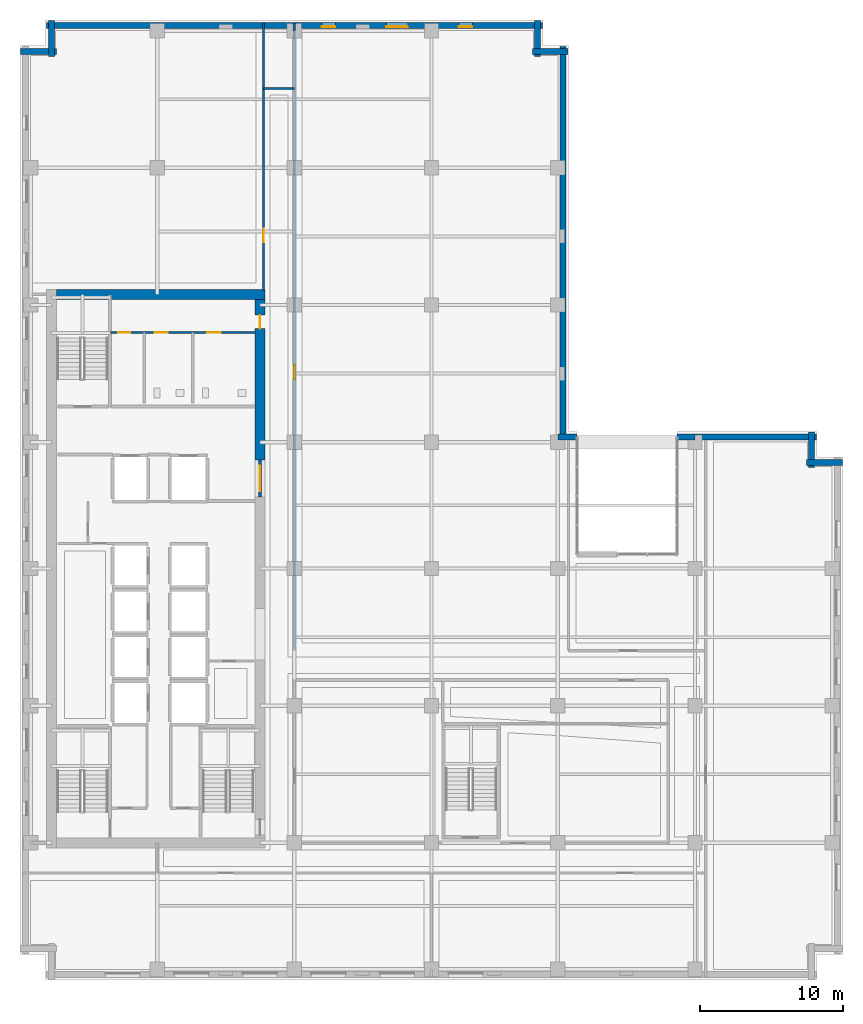
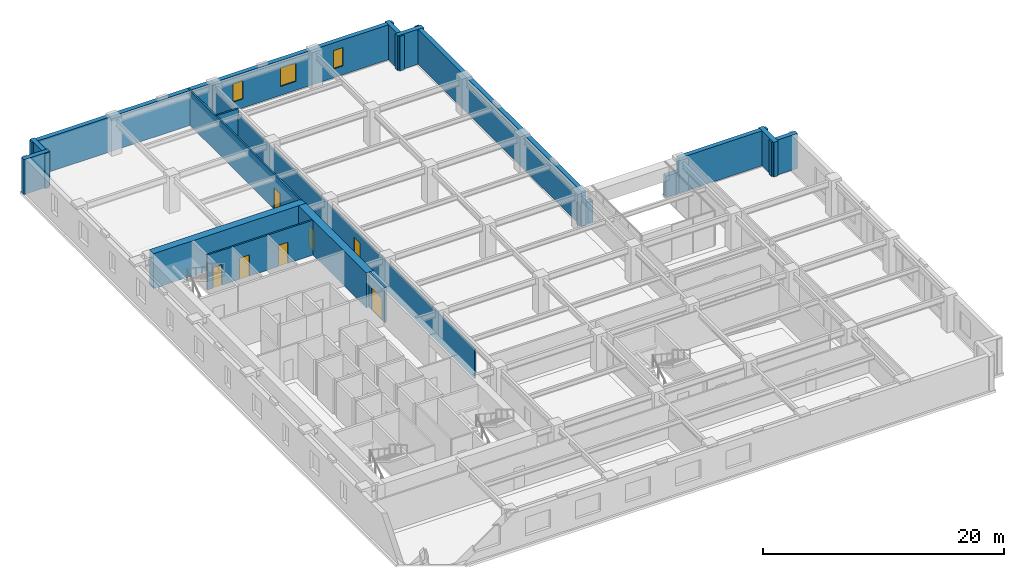
# One storey, part 7 of 14: 19 walls, 7 doors, 3 windows, 10 openings.
"""IFC4 building model written with IfcOpenShell, lengths in metres."""

import ifcopenshell
import ifcopenshell.guid

model = None  # the IFC model being written
_history = None  # IfcOwnerHistory: only IFC2X3 demands one
_inside = {}  # id of a spatial element -> (the spatial element, [elements in it])
_under = {}  # id of a project, library or spatial element -> (it, [spatial elements below it])
_declared = {}  # id of a project -> (the project, [libraries it declares])
_typed = {}  # id of a type object -> (the type object, [elements of that type])
_made_of = {}  # id of a material, layer set ... -> (it, [elements and type objects made of it])


def new_model(schema):
    """Start an empty IFC model of exactly this schema.

    Asked for "IFC4X3", IfcOpenShell would pick the latest addendum, in which some entities
    have other attributes; the version numbers below select the first issue.
    IFC2X3 requires an IfcOwnerHistory on every rooted entity: one is made here for all.
    """
    global model, _history
    if schema == "IFC4X3":
        model = ifcopenshell.file(schema_version=(4, 3, 0, 0))
    else:
        model = ifcopenshell.file(schema=schema)
    _inside.clear()
    _under.clear()
    _declared.clear()
    _typed.clear()
    _made_of.clear()
    _history = None
    if model.schema == "IFC2X3":
        org = make("IfcOrganization", Name="unknown")
        user = make(
            "IfcPersonAndOrganization",
            ThePerson=make("IfcPerson", FamilyName="unknown"),
            TheOrganization=org,
        )
        app = make(
            "IfcApplication",
            ApplicationDeveloper=org,
            Version="unknown",
            ApplicationFullName="unknown",
            ApplicationIdentifier="unknown",
        )
        _history = make(
            "IfcOwnerHistory",
            OwningUser=user,
            OwningApplication=app,
            ChangeAction="ADDED",
            CreationDate=0,
        )
    return model


def make(cls, **values):
    """One entity of the class cls with the attributes given. An attribute that is None is left unset."""
    return model.create_entity(
        cls, **{name: value for name, value in values.items() if value is not None}
    )


def rooted(cls, **values):
    """An entity with a GlobalId (a new one), such as an element, a storey or a relation."""
    return make(cls, GlobalId=ifcopenshell.guid.new(), OwnerHistory=_history, **values)


def si_unit(unit_type, name, prefix=None):
    """IfcSIUnit, for example si_unit("LENGTHUNIT", "METRE", prefix="MILLI")."""
    return make("IfcSIUnit", UnitType=unit_type, Prefix=prefix, Name=name)


def assignment(units):
    """IfcUnitAssignment: the units of a project."""
    return None if units is None else make("IfcUnitAssignment", Units=units)


def point(xyz):
    """IfcCartesianPoint."""
    return None if xyz is None else make("IfcCartesianPoint", Coordinates=xyz)


def direction(xyz):
    """IfcDirection."""
    return None if xyz is None else make("IfcDirection", DirectionRatios=xyz)


def frame(location, z_axis=None, x_axis=None):
    """IfcAxis2Placement3D, a coordinate frame: its origin and axes. An axis left out is left unset."""
    return make(
        "IfcAxis2Placement3D",
        Location=point(location),
        Axis=direction(z_axis),
        RefDirection=direction(x_axis),
    )


def frame_2d(location, x_axis=None):
    """IfcAxis2Placement2D, a coordinate frame in the plane: its origin and x axis."""
    return make(
        "IfcAxis2Placement2D", Location=point(location), RefDirection=direction(x_axis)
    )


def origin():
    """The frame at (0, 0, 0) with its axes left unset."""
    return frame((0.0, 0.0, 0.0))


def place(relative_to, where):
    """IfcLocalPlacement: puts the frame where relative to a parent placement (None: the world)."""
    return make(
        "IfcLocalPlacement", PlacementRelTo=relative_to, RelativePlacement=where
    )


def context(
    kind, dimensions, precision=None, world=None, true_north=None, identifier=None
):
    """IfcGeometricRepresentationContext, for example the 3D "Model" context."""
    return make(
        "IfcGeometricRepresentationContext",
        ContextIdentifier=identifier,
        ContextType=kind,
        CoordinateSpaceDimension=dimensions,
        Precision=precision,
        WorldCoordinateSystem=world,
        TrueNorth=true_north,
    )


def subcontext(parent, identifier, kind, view, scale=None):
    """IfcGeometricRepresentationSubContext, for example "Body" below "Model"."""
    return make(
        "IfcGeometricRepresentationSubContext",
        ContextIdentifier=identifier,
        ContextType=kind,
        ParentContext=parent,
        TargetScale=scale,
        TargetView=view,
    )


def project(units=None, contexts=None):
    """IfcProject with its units and contexts."""
    return rooted(
        "IfcProject",
        Name="project",
        RepresentationContexts=contexts,
        UnitsInContext=assignment(units),
    )


def spatial(cls, under=None, at=None, **own):
    """A site, building, storey or space (cls), placed at a placement, below another one or the project."""
    s = rooted(cls, ObjectPlacement=at, **own)
    if under is not None:
        _under.setdefault(under.id(), (under, []))[1].append(s)
    return s


def profile(cls, at=None, kind="AREA", **sizes):
    """A parametric profile (cls). Its sizes go by their IFC names, for example OverallWidth=200.0."""
    return make(cls, ProfileType=kind, Position=at, **sizes)


def rectangle(**sizes):
    """IfcRectangleProfileDef."""
    return profile("IfcRectangleProfileDef", **sizes)


def extrude(swept, where, along, depth):
    """IfcExtrudedAreaSolid: the profile swept, set in the frame where, extruded along a direction by depth."""
    return make(
        "IfcExtrudedAreaSolid",
        SweptArea=swept,
        Position=where,
        ExtrudedDirection=direction(along),
        Depth=depth,
    )


def shape(context_of_items, identifier, shape_type, items):
    """IfcShapeRepresentation: the items that make up one representation, for example the "Body"."""
    return make(
        "IfcShapeRepresentation",
        ContextOfItems=context_of_items,
        RepresentationIdentifier=identifier,
        RepresentationType=shape_type,
        Items=items,
    )


def material(Name=None, Category=None):
    """IfcMaterial."""
    return make("IfcMaterial", Name=Name, Category=Category)


def layer(
    of_material, thickness, ventilated=None, Name=None, Category=None, Priority=None
):
    """IfcMaterialLayer: one layer of a wall or slab, of a material (None: an air gap)."""
    return make(
        "IfcMaterialLayer",
        Material=of_material,
        LayerThickness=thickness,
        IsVentilated=ventilated,
        Name=Name,
        Category=Category,
        Priority=Priority,
    )


def layer_set(layers, Name=None):
    """IfcMaterialLayerSet."""
    return make("IfcMaterialLayerSet", MaterialLayers=layers, LayerSetName=Name)


def made_of(thing, what):
    """Note that an element or type object is made of a material, layer set ...; save() writes the relation."""
    if what is not None:
        _made_of.setdefault(what.id(), (what, []))[1].append(thing)
    return thing


def type_object(cls, material=None, **own):
    """A type object (cls), such as IfcWallType, which elements share."""
    return made_of(rooted(cls, **own), material)


def element(
    cls,
    number,
    at=None,
    inside=None,
    cuts=None,
    type_object=None,
    material=None,
    context=None,
    identifier="Body",
    shape_type=None,
    held_by="IfcProductDefinitionShape",
    body=None,
    shapes=None,
    **own,
):
    """One element of the class cls, such as IfcWall. Its Tag is "e" and its number.

    at: its placement. inside: the storey or other place that contains it. cuts: it is an
    opening in that element (IfcRelVoidsElement). A single representation is given by context,
    identifier, shape_type and body (its items); several are given by shapes. held_by: the class
    of the entity that holds the representations. save() writes the other relations.
    """
    e = rooted(cls, Tag="e%d" % number, ObjectPlacement=at, **own)
    if body is not None:
        shapes = [shape(context, identifier, shape_type, body)]
    if shapes is not None:
        e.Representation = make(held_by, Representations=shapes)
    if inside is not None:
        _inside.setdefault(inside.id(), (inside, []))[1].append(e)
    if cuts is not None:
        rooted(
            "IfcRelVoidsElement", RelatingBuildingElement=cuts, RelatedOpeningElement=e
        )
    if type_object is not None:
        _typed.setdefault(type_object.id(), (type_object, []))[1].append(e)
    return made_of(e, material)


def fill(opening, filler):
    """IfcRelFillsElement: the door or window that sits in an opening."""
    return rooted(
        "IfcRelFillsElement",
        RelatingOpeningElement=opening,
        RelatedBuildingElement=filler,
    )


def aggregate(whole, parts):
    """IfcRelAggregates: a whole, such as a stair, and the parts it consists of."""
    return rooted("IfcRelAggregates", RelatingObject=whole, RelatedObjects=parts)


def save(model, path):
    """Write the relations noted so far, then the file.

    IfcRelAggregates (storeys below a building ...), IfcRelContainedInSpatialStructure (elements
    in a storey), IfcRelDefinesByType, IfcRelAssociatesMaterial and IfcRelDeclares: one each for
    every whole, place, type object, material and project.
    """
    for whole, parts in _under.values():
        aggregate(whole, parts)
    for where, things in _inside.values():
        rooted(
            "IfcRelContainedInSpatialStructure",
            RelatedElements=things,
            RelatingStructure=where,
        )
    for kind, things in _typed.values():
        rooted("IfcRelDefinesByType", RelatedObjects=things, RelatingType=kind)
    for what, things in _made_of.values():
        rooted("IfcRelAssociatesMaterial", RelatedObjects=things, RelatingMaterial=what)
    for by, libraries in _declared.values():
        rooted("IfcRelDeclares", RelatingContext=by, RelatedDefinitions=libraries)
    model.write(path)


model = new_model("IFC4")

# Units and contexts
model_context = context("Model", 3, precision=1e-05, world=origin(), true_north=direction((0.0, 1.0)))
body_context = subcontext(model_context, "Body", "Model", "MODEL_VIEW")
ifc_project = project(units=[si_unit("LENGTHUNIT", "METRE"), si_unit("AREAUNIT", "SQUARE_METRE"), si_unit("VOLUMEUNIT", "CUBIC_METRE"), si_unit("PLANEANGLEUNIT", "RADIAN"), si_unit("MASSUNIT", "GRAM", prefix="KILO")], contexts=[model_context])

# Site, building, storey
site_placement = place(None, origin())
site = spatial("IfcSite", under=ifc_project, at=site_placement, CompositionType="ELEMENT")
building_placement = place(site_placement, origin())
building = spatial("IfcBuilding", under=site, at=building_placement, Name="Norrvale University Quadrangle", CompositionType="ELEMENT")
storey_placement = place(building_placement, frame((0.0, 0.0, 116.60009765625)))
storey = spatial("IfcBuildingStorey", under=building, at=storey_placement, Name="L29", CompositionType="ELEMENT", Elevation=116.60009765625)

# Walls
ifc_material_1 = material(Name="Buff Norman Clay Brick Masonry", Category="masonry")
ifc_layer_1 = layer(ifc_material_1, 0.419921875, Name="Buff Norman Clay Brick Masonry")
ifc_layer_set_1 = layer_set([ifc_layer_1], Name="Buff Norman Clay Brick Masonry")
wall_type_1 = type_object("IfcWallType", Name="Wall Buff Brick 420", PredefinedType="SOLIDWALL", material=ifc_layer_set_1)
for number, where, z_axis, x_axis, name in (
    (1, (57.56005859375, 36.2099609375, 0.0), (0.0, 0.0, 1.0), (-1.0, 0.0, 0.0), "Exterior Brick Facade Wall L29-05.1"),
    (2, (55.409912109375, 35.860107421875, 0.0), (0.0, 0.0, 1.0), (0.0, 1.0, 0.0), "Exterior Brick Facade Wall L29-06.1"),
):
    element("IfcWall", number, at=place(storey_placement, frame(where, z_axis=z_axis, x_axis=x_axis)), inside=storey, type_object=wall_type_1, Name=name, PredefinedType="SOLIDWALL", context=body_context, shape_type="SweptSolid", body=[
        extrude(rectangle(XDim=2.5, YDim=0.419921875, at=frame_2d((1.25, 0.0))), origin(), (0.0, 0.0, 1.0), 3.539794921875),
    ])
wall_1_placement = place(storey_placement, frame((55.760009765625, 38.010009765625, 0.0), z_axis=(0.0, 0.0, 1.0), x_axis=(-1.0, 0.0, 0.0)))
element("IfcWall", 3, at=wall_1_placement, inside=storey, type_object=wall_type_1, Name="Exterior Brick Facade Wall L29-07.1", PredefinedType="SOLIDWALL", context=body_context, shape_type="SweptSolid", body=[
    extrude(rectangle(XDim=8.510009765625, YDim=0.419921875, at=frame_2d((4.2548828125, 0.0))), origin(), (0.0, 0.0, 1.0), 3.539794921875),
])
wall_2_placement = place(storey_placement, frame((39.0, 38.010009765625, 0.0), z_axis=(0.0, 0.0, 1.0), x_axis=(-1.0, 0.0, 0.0)))
element("IfcWall", 4, at=wall_2_placement, inside=storey, type_object=wall_type_1, Name="Exterior Brick Facade Wall L29-07.2", PredefinedType="SOLIDWALL", context=body_context, shape_type="SweptSolid", body=[
    extrude(rectangle(XDim=1.340087890625, YDim=0.419921875, at=frame_2d((0.669921875, 0.0))), origin(), (0.0, 0.0, 1.0), 2.139892578125),
])
wall_3_placement = place(storey_placement, frame((38.010009765625, 37.659912109375, 0.0), z_axis=(0.0, 0.0, 1.0), x_axis=(0.0, 1.0, 0.0)))
element("IfcWall", 5, at=wall_3_placement, inside=storey, type_object=wall_type_1, Name="Exterior Brick Facade Wall L29-08.1", PredefinedType="SOLIDWALL", context=body_context, shape_type="SweptSolid", body=[
    extrude(rectangle(XDim=27.7001953125, YDim=0.419921875, at=frame_2d((13.85009765625, 0.0))), origin(), (0.0, 0.0, 1.0), 3.539794921875),
])
for number, where, z_axis, x_axis, name in (
    (6, (38.360107421875, 65.010009765625, 0.0), (0.0, 0.0, 1.0), (-1.0, 0.0, 0.0), "Exterior Brick Facade Wall L29-09.1"),
    (7, (36.2099609375, 64.659912109375, 0.0), (0.0, 0.0, 1.0), (0.0, 1.0, 0.0), "Exterior Brick Facade Wall L29-10.1"),
):
    element("IfcWall", number, at=place(storey_placement, frame(where, z_axis=z_axis, x_axis=x_axis)), inside=storey, type_object=wall_type_1, Name=name, PredefinedType="SOLIDWALL", context=body_context, shape_type="SweptSolid", body=[
        extrude(rectangle(XDim=2.5, YDim=0.419921875, at=frame_2d((1.25, 0.0))), origin(), (0.0, 0.0, 1.0), 3.539794921875),
    ])

# Wall, openings, windows
wall_4_placement = place(storey_placement, frame((36.56005859375, 66.81005859375, 0.0), z_axis=(0.0, 0.0, 1.0), x_axis=(-1.0, 0.0, 0.0)))
wall_4 = element("IfcWall", 8, at=wall_4_placement, inside=storey, type_object=wall_type_1, Name="Exterior Brick Facade Wall L29-11.1", PredefinedType="SOLIDWALL", context=body_context, shape_type="SweptSolid", body=[
    extrude(rectangle(XDim=34.719970703125, YDim=0.419921875, at=frame_2d((17.35986328125, 0.0))), origin(), (0.0, 0.0, 1.0), 3.539794921875),
])
opening_1_placement = place(wall_4_placement, frame((4.885009765625, 0.0, 0.89990234375)))
opening_1 = element("IfcOpeningElement", 9, at=opening_1_placement, cuts=wall_4, Name="Opening W04", PredefinedType="OPENING", context=body_context, shape_type="SweptSolid", body=[
    extrude(rectangle(XDim=0.949951171875, YDim=1.85009765625, at=frame_2d((0.47509765625, 0.925048828125))), frame((0.0, 0.221923828125, 0.0), z_axis=(0.0, -1.0, 0.0), x_axis=(1.0, 0.0, 0.0)), (0.0, 0.0, 1.0), 0.44384765625),
])
opening_2_placement = place(wall_4_placement, frame((9.409912109375, 0.0, 0.89990234375)))
opening_2 = element("IfcOpeningElement", 10, at=opening_2_placement, cuts=wall_4, Name="Opening W03", PredefinedType="OPENING", context=body_context, shape_type="SweptSolid", body=[
    extrude(rectangle(XDim=1.5, YDim=1.85009765625, at=frame_2d((0.75, 0.925048828125))), frame((0.0, 0.221923828125, 0.0), z_axis=(0.0, -1.0, 0.0), x_axis=(1.0, 0.0, 0.0)), (0.0, 0.0, 1.0), 0.44384765625),
])
opening_3_placement = place(wall_4_placement, frame((14.485107421875, 0.0, 0.89990234375)))
opening_3 = element("IfcOpeningElement", 11, at=opening_3_placement, cuts=wall_4, Name="Opening W04", PredefinedType="OPENING", context=body_context, shape_type="SweptSolid", body=[
    extrude(rectangle(XDim=0.949951171875, YDim=1.85009765625, at=frame_2d((0.47509765625, 0.925048828125))), frame((0.0, 0.221923828125, 0.0), z_axis=(0.0, -1.0, 0.0), x_axis=(1.0, 0.0, 0.0)), (0.0, 0.0, 1.0), 0.44384765625),
])
ifc_material_2 = material(Name="Triple Low-E Argon Glazing", Category="glass")
window_type_1 = type_object("IfcWindowType", Name="Window Narrow Pier 950x2300", PartitioningType="SINGLE_PANEL", PredefinedType="WINDOW", material=ifc_material_2)
window_1_placement = place(opening_1_placement, origin())
window_1 = element("IfcWindow", 12, at=window_1_placement, inside=storey, type_object=window_type_1, Name="Window Narrow Pier 950x2300 WIN-L29-E11-1-01", OverallHeight=1.85009765625, OverallWidth=0.949951171875, PartitioningType="SINGLE_PANEL", PredefinedType="WINDOW", context=body_context, shape_type="SweptSolid", body=[
    extrude(rectangle(XDim=0.949951171875, YDim=1.85009765625, at=frame_2d((0.47509765625, 0.925048828125))), frame((0.0, 0.110107421875, 0.0), z_axis=(0.0, -1.0, 0.0), x_axis=(1.0, 0.0, 0.0)), (0.0, 0.0, 1.0), 0.06005859375),
])
fill(opening_1, window_1)
window_2_placement = place(opening_3_placement, origin())
window_2 = element("IfcWindow", 13, at=window_2_placement, inside=storey, type_object=window_type_1, Name="Window Narrow Pier 950x2300 WIN-L29-E11-1-03", OverallHeight=1.85009765625, OverallWidth=0.949951171875, PartitioningType="SINGLE_PANEL", PredefinedType="WINDOW", context=body_context, shape_type="SweptSolid", body=[
    extrude(rectangle(XDim=0.949951171875, YDim=1.85009765625, at=frame_2d((0.47509765625, 0.925048828125))), frame((0.0, 0.110107421875, 0.0), z_axis=(0.0, -1.0, 0.0), x_axis=(1.0, 0.0, 0.0)), (0.0, 0.0, 1.0), 0.06005859375),
])
fill(opening_3, window_2)
window_type_2 = type_object("IfcWindowType", Name="Window Studio 1500x2300", PartitioningType="DOUBLE_PANEL_VERTICAL", PredefinedType="WINDOW", material=ifc_material_2)
window_3_placement = place(opening_2_placement, origin())
window_3 = element("IfcWindow", 14, at=window_3_placement, inside=storey, type_object=window_type_2, Name="Window Studio 1500x2300 WIN-L29-E11-1-02", OverallHeight=1.85009765625, OverallWidth=1.5, PartitioningType="DOUBLE_PANEL_VERTICAL", PredefinedType="WINDOW", context=body_context, shape_type="SweptSolid", body=[
    extrude(rectangle(XDim=1.5, YDim=1.85009765625, at=frame_2d((0.75, 0.925048828125))), frame((0.0, 0.110107421875, 0.0), z_axis=(0.0, -1.0, 0.0), x_axis=(1.0, 0.0, 0.0)), (0.0, 0.0, 1.0), 0.06005859375),
])
fill(opening_2, window_3)

# Walls
for number, where, z_axis, x_axis, name in (
    (15, (2.18994140625, 67.159912109375, 0.0), (0.0, 0.0, 1.0), (0.0, -1.0, 0.0), "Exterior Brick Facade Wall L29-12.1"),
    (16, (2.5400390625, 65.010009765625, 0.0), (0.0, 0.0, 1.0), (-1.0, 0.0, 0.0), "Exterior Brick Facade Wall L29-13.1"),
):
    element("IfcWall", number, at=place(storey_placement, frame(where, z_axis=z_axis, x_axis=x_axis)), inside=storey, type_object=wall_type_1, Name=name, PredefinedType="SOLIDWALL", context=body_context, shape_type="SweptSolid", body=[
        extrude(rectangle(XDim=2.5, YDim=0.419921875, at=frame_2d((1.25, 0.0))), origin(), (0.0, 0.0, 1.0), 3.539794921875),
    ])
wall_5_placement = place(storey_placement, frame((47.25, 38.010009765625, 0.0), z_axis=(0.0, 0.0, 1.0), x_axis=(-1.0, 0.0, 0.0)))
element("IfcWall", 17, at=wall_5_placement, inside=storey, type_object=wall_type_1, Name="Exterior Brick Facade Wall L29-07.1 B2", PredefinedType="SOLIDWALL", context=body_context, shape_type="SweptSolid", body=[
    extrude(rectangle(XDim=1.25, YDim=0.419921875, at=frame_2d((0.625, 0.0))), origin(), (0.0, 0.0, 1.0), 2.139892578125),
])
ifc_material_3 = material(Name="Concrete C60/75", Category="concrete")
ifc_layer_2 = layer(ifc_material_3, 0.699951171875, Name="Concrete C60/75")
ifc_layer_set_2 = layer_set([ifc_layer_2], Name="Concrete C60/75")
wall_type_2 = type_object("IfcWallType", Name="Wall Core 700", PredefinedType="SHEAR", material=ifc_layer_set_2)
wall_6_placement = place(storey_placement, frame((2.550048828125, 48.0, 0.0), z_axis=(0.0, 0.0, 1.0), x_axis=(1.0, 0.0, 0.0)))
element("IfcWall", 18, at=wall_6_placement, inside=storey, type_object=wall_type_2, Name="Tower Core Shear Wall L29-N", PredefinedType="SHEAR", context=body_context, shape_type="SweptSolid", body=[
    extrude(rectangle(XDim=14.599853515625, YDim=0.699951171875, at=frame_2d((7.2998046875, 0.0))), origin(), (0.0, 0.0, 1.0), 3.539794921875),
])

# Wall, opening, door
wall_7_placement = place(storey_placement, frame((16.800048828125, 36.39990234375, 0.0), z_axis=(0.0, 0.0, 1.0), x_axis=(0.0, 1.0, 0.0)))
wall_7 = element("IfcWall", 19, at=wall_7_placement, inside=storey, type_object=wall_type_2, Name="Tower Core Shear Wall L29-E3", PredefinedType="SHEAR", context=body_context, shape_type="SweptSolid", body=[
    extrude(rectangle(XDim=11.25, YDim=0.699951171875, at=frame_2d((5.625, 0.0))), origin(), (0.0, 0.0, 1.0), 3.539794921875),
])
opening_4_placement = place(wall_7_placement, frame((9.199951171875, 0.0, 0.0)))
opening_4 = element("IfcOpeningElement", 20, at=opening_4_placement, cuts=wall_7, Name="Opening D07", PredefinedType="OPENING", context=body_context, shape_type="SweptSolid", body=[
    extrude(rectangle(XDim=0.949951171875, YDim=2.14990234375, at=frame_2d((0.47509765625, 1.074951171875))), frame((0.0, 0.362060546875, 0.0), z_axis=(0.0, -1.0, 0.0), x_axis=(1.0, 0.0, 0.0)), (0.0, 0.0, 1.0), 0.723876953125),
])
ifc_material_4 = material(Name="Solid-Core Maple Door", Category="wood")
door_type_1 = type_object("IfcDoorType", Name="Door Office 950x2150", OperationType="NOTDEFINED", PredefinedType="DOOR", material=ifc_material_4)
door_1_placement = place(opening_4_placement, origin())
door_1 = element("IfcDoor", 21, at=door_1_placement, inside=storey, type_object=door_type_1, Name="Door Office 950x2150 DR-L29-NECORR", OperationType="SINGLE_SWING_RIGHT", OverallHeight=2.14990234375, OverallWidth=0.949951171875, PredefinedType="DOOR", context=body_context, shape_type="SweptSolid", body=[
    extrude(rectangle(XDim=0.949951171875, YDim=2.14990234375, at=frame_2d((0.47509765625, 1.074951171875))), frame((0.0, 0.02490234375, 0.0), z_axis=(0.0, -1.0, 0.0), x_axis=(1.0, 0.0, 0.0)), (0.0, 0.0, 1.0), 0.050048828125),
])
fill(opening_4, door_1)

# Wall
ifc_material_5 = material(Name="Fire-Rated Gypsum Stud Partition")
ifc_layer_3 = layer(ifc_material_5, 0.14990234375, Name="Fire-Rated Gypsum Stud Partition")
ifc_layer_set_3 = layer_set([ifc_layer_3], Name="Fire-Rated Gypsum Stud Partition")
wall_type_3 = type_object("IfcWallType", Name="Wall Gypsum Corridor 150", PredefinedType="PARTITIONING", material=ifc_layer_set_3)
wall_8_placement = place(storey_placement, frame((17.050048828125, 62.39990234375, 0.0), z_axis=(0.0, 0.0, 1.0), x_axis=(1.0, 0.0, 0.0)))
element("IfcWall", 22, at=wall_8_placement, inside=storey, type_object=wall_type_3, Name="Interior Partition WL-L29-CN-END", PredefinedType="PARTITIONING", context=body_context, shape_type="SweptSolid", body=[
    extrude(rectangle(XDim=2.14990234375, YDim=0.14990234375, at=frame_2d((1.074951171875, 0.0))), origin(), (0.0, 0.0, 1.0), 3.539794921875),
])

# Wall, opening, door
wall_9_placement = place(storey_placement, frame((19.199951171875, 23.050048828125, 0.0), z_axis=(0.0, 0.0, 1.0), x_axis=(0.0, 1.0, 0.0)))
wall_9 = element("IfcWall", 23, at=wall_9_placement, inside=storey, type_object=wall_type_3, Name="Interior Partition WL-L29-NECW", PredefinedType="PARTITIONING", context=body_context, shape_type="SweptSolid", body=[
    extrude(rectangle(XDim=43.39990234375, YDim=0.14990234375, at=frame_2d((21.699951171875, 0.0))), origin(), (0.0, 0.0, 1.0), 2.9228515625),
])
opening_5_placement = place(wall_9_placement, frame((19.0, 0.0, 0.0)))
opening_5 = element("IfcOpeningElement", 24, at=opening_5_placement, cuts=wall_9, Name="Opening D04", PredefinedType="OPENING", context=body_context, shape_type="SweptSolid", body=[
    extrude(rectangle(XDim=1.0, YDim=2.199951171875, at=frame_2d((0.5, 1.10009765625))), frame((0.0, 0.0869140625, 0.0), z_axis=(0.0, -1.0, 0.0), x_axis=(1.0, 0.0, 0.0)), (0.0, 0.0, 1.0), 0.173828125),
])
ifc_material_6 = material(Name="Solid-Core Oak Fire Door", Category="wood")
door_type_2 = type_object("IfcDoorType", Name="Door Corridor 1000x2200", OperationType="NOTDEFINED", PredefinedType="DOOR", material=ifc_material_6)
door_2_placement = place(opening_5_placement, origin())
door_2 = element("IfcDoor", 25, at=door_2_placement, inside=storey, type_object=door_type_2, Name="Door Corridor 1000x2200 DR-L29-NE01", OperationType="SINGLE_SWING_RIGHT", OverallHeight=2.199951171875, OverallWidth=1.0, PredefinedType="DOOR", context=body_context, shape_type="SweptSolid", body=[
    extrude(rectangle(XDim=1.0, YDim=2.199951171875, at=frame_2d((0.5, 1.10009765625))), frame((0.0, 0.02490234375, 0.0), z_axis=(0.0, -1.0, 0.0), x_axis=(1.0, 0.0, 0.0)), (0.0, 0.0, 1.0), 0.050048828125),
])
fill(opening_5, door_2)

# Wall
wall_10_placement = place(storey_placement, frame((19.199951171875, 66.449951171875, 0.0), z_axis=(0.0, 0.0, 1.0), x_axis=(0.0, 1.0, 0.0)))
element("IfcWall", 26, at=wall_10_placement, inside=storey, type_object=wall_type_3, Name="Interior Partition WL-L29-NECW-B2", PredefinedType="PARTITIONING", context=body_context, shape_type="SweptSolid", body=[
    extrude(rectangle(XDim=0.530029296875, YDim=0.14990234375, at=frame_2d((0.26513671875, 0.0))), origin(), (0.0, 0.0, 1.0), 3.539794921875),
])

# Wall, opening, door
wall_11_placement = place(storey_placement, frame((17.050048828125, 48.25, 0.0), z_axis=(0.0, 0.0, 1.0), x_axis=(0.0, 1.0, 0.0)))
wall_11 = element("IfcWall", 27, at=wall_11_placement, inside=storey, type_object=wall_type_3, Name="Interior Partition WL-L29-NWCW", PredefinedType="PARTITIONING", context=body_context, shape_type="SweptSolid", body=[
    extrude(rectangle(XDim=18.72998046875, YDim=0.14990234375, at=frame_2d((9.364990234375, 0.0))), origin(), (0.0, 0.0, 1.0), 3.539794921875),
])
opening_6_placement = place(wall_11_placement, frame((3.39990234375, 0.0, 0.0)))
opening_6 = element("IfcOpeningElement", 28, at=opening_6_placement, cuts=wall_11, Name="Opening D07", PredefinedType="OPENING", context=body_context, shape_type="SweptSolid", body=[
    extrude(rectangle(XDim=0.949951171875, YDim=2.14990234375, at=frame_2d((0.47509765625, 1.074951171875))), frame((0.0, 0.0869140625, 0.0), z_axis=(0.0, -1.0, 0.0), x_axis=(1.0, 0.0, 0.0)), (0.0, 0.0, 1.0), 0.173828125),
])
door_3_placement = place(opening_6_placement, origin())
door_3 = element("IfcDoor", 29, at=door_3_placement, inside=storey, type_object=door_type_1, Name="Door Office 950x2150 DR-L29-NW01", OperationType="SINGLE_SWING_RIGHT", OverallHeight=2.14990234375, OverallWidth=0.949951171875, PredefinedType="DOOR", context=body_context, shape_type="SweptSolid", body=[
    extrude(rectangle(XDim=0.949951171875, YDim=2.14990234375, at=frame_2d((0.47509765625, 1.074951171875))), frame((0.0, 0.02490234375, 0.0), z_axis=(0.0, -1.0, 0.0), x_axis=(1.0, 0.0, 0.0)), (0.0, 0.0, 1.0), 0.050048828125),
])
fill(opening_6, door_3)

# Wall, openings, doors
ifc_material_7 = material(Name="Sanitary Chase Gypsum Partition")
ifc_layer_4 = layer(ifc_material_7, 0.1650390625, Name="Sanitary Chase Gypsum Partition")
ifc_layer_set_4 = layer_set([ifc_layer_4], Name="Sanitary Chase Gypsum Partition")
wall_type_4 = type_object("IfcWallType", Name="Wall Gypsum Sanitary 165", PredefinedType="PLUMBINGWALL", material=ifc_layer_set_4)
wall_12_placement = place(storey_placement, frame((6.320068359375, 45.320068359375, 0.0), z_axis=(0.0, 0.0, 1.0), x_axis=(1.0, 0.0, 0.0)))
wall_12 = element("IfcWall", 30, at=wall_12_placement, inside=storey, type_object=wall_type_4, Name="Interior Partition WL-L29-WCN", PredefinedType="PLUMBINGWALL", context=body_context, shape_type="SweptSolid", body=[
    extrude(rectangle(XDim=10.1298828125, YDim=0.1650390625, at=frame_2d((5.06494140625, 0.0))), origin(), (0.0, 0.0, 1.0), 3.539794921875),
])
opening_7_placement = place(wall_12_placement, frame((0.550048828125, 0.0, 0.0)))
opening_7 = element("IfcOpeningElement", 31, at=opening_7_placement, cuts=wall_12, Name="Opening D10", PredefinedType="OPENING", context=body_context, shape_type="SweptSolid", body=[
    extrude(rectangle(XDim=0.85009765625, YDim=2.10009765625, at=frame_2d((0.425048828125, 1.050048828125))), frame((0.0, 0.094482421875, 0.0), z_axis=(0.0, -1.0, 0.0), x_axis=(1.0, 0.0, 0.0)), (0.0, 0.0, 1.0), 0.18896484375),
])
opening_8_placement = place(wall_12_placement, frame((3.10009765625, 0.0, 0.0)))
opening_8 = element("IfcOpeningElement", 32, at=opening_8_placement, cuts=wall_12, Name="Opening D08", PredefinedType="OPENING", context=body_context, shape_type="SweptSolid", body=[
    extrude(rectangle(XDim=0.919921875, YDim=2.14990234375, at=frame_2d((0.4599609375, 1.074951171875))), frame((0.0, 0.094482421875, 0.0), z_axis=(0.0, -1.0, 0.0), x_axis=(1.0, 0.0, 0.0)), (0.0, 0.0, 1.0), 0.18896484375),
])
opening_9_placement = place(wall_12_placement, frame((6.800048828125, 0.0, 0.0)))
opening_9 = element("IfcOpeningElement", 33, at=opening_9_placement, cuts=wall_12, Name="Opening D08", PredefinedType="OPENING", context=body_context, shape_type="SweptSolid", body=[
    extrude(rectangle(XDim=0.919921875, YDim=2.14990234375, at=frame_2d((0.4599609375, 1.074951171875))), frame((0.0, 0.094482421875, 0.0), z_axis=(0.0, -1.0, 0.0), x_axis=(1.0, 0.0, 0.0)), (0.0, 0.0, 1.0), 0.18896484375),
])
ifc_material_8 = material(Name="Hollow Steel 350W Riser Fire Door", Category="steel")
door_type_3 = type_object("IfcDoorType", Name="Door Riser 850x2100", OperationType="NOTDEFINED", PredefinedType="DOOR", material=ifc_material_8)
door_4_placement = place(opening_7_placement, origin())
door_4 = element("IfcDoor", 34, at=door_4_placement, inside=storey, type_object=door_type_3, Name="Door Riser 850x2100 DR-L29-WC1", OperationType="SINGLE_SWING_LEFT", OverallHeight=2.10009765625, OverallWidth=0.85009765625, PredefinedType="DOOR", context=body_context, shape_type="SweptSolid", body=[
    extrude(rectangle(XDim=0.85009765625, YDim=2.10009765625, at=frame_2d((0.425048828125, 1.050048828125))), frame((0.0, 0.02490234375, 0.0), z_axis=(0.0, -1.0, 0.0), x_axis=(1.0, 0.0, 0.0)), (0.0, 0.0, 1.0), 0.050048828125),
])
fill(opening_7, door_4)
ifc_material_9 = material(Name="Laminate Washroom Door", Category="wood")
door_type_4 = type_object("IfcDoorType", Name="Door Washroom 920x2150", OperationType="NOTDEFINED", PredefinedType="DOOR", material=ifc_material_9)
door_5_placement = place(opening_8_placement, origin())
door_5 = element("IfcDoor", 35, at=door_5_placement, inside=storey, type_object=door_type_4, Name="Door Washroom 920x2150 DR-L29-WC2", OperationType="SINGLE_SWING_RIGHT", OverallHeight=2.14990234375, OverallWidth=0.919921875, PredefinedType="DOOR", context=body_context, shape_type="SweptSolid", body=[
    extrude(rectangle(XDim=0.919921875, YDim=2.14990234375, at=frame_2d((0.4599609375, 1.074951171875))), frame((0.0, 0.02490234375, 0.0), z_axis=(0.0, -1.0, 0.0), x_axis=(1.0, 0.0, 0.0)), (0.0, 0.0, 1.0), 0.050048828125),
])
fill(opening_8, door_5)
door_6_placement = place(opening_9_placement, origin())
door_6 = element("IfcDoor", 36, at=door_6_placement, inside=storey, type_object=door_type_4, Name="Door Washroom 920x2150 DR-L29-WC3", OperationType="SINGLE_SWING_LEFT", OverallHeight=2.14990234375, OverallWidth=0.919921875, PredefinedType="DOOR", context=body_context, shape_type="SweptSolid", body=[
    extrude(rectangle(XDim=0.919921875, YDim=2.14990234375, at=frame_2d((0.4599609375, 1.074951171875))), frame((0.0, 0.02490234375, 0.0), z_axis=(0.0, -1.0, 0.0), x_axis=(1.0, 0.0, 0.0)), (0.0, 0.0, 1.0), 0.050048828125),
])
fill(opening_9, door_6)

# Wall, opening, door
ifc_material_10 = material(Name="Concrete Blockwork 20 MPa Rated Wall", Category="masonry")
ifc_layer_5 = layer(ifc_material_10, 0.199951171875, Name="Concrete Blockwork 20 MPa Rated Wall")
ifc_layer_set_5 = layer_set([ifc_layer_5], Name="Concrete Blockwork 20 MPa Rated Wall")
wall_type_5 = type_object("IfcWallType", Name="Wall Lobby 200", PredefinedType="SOLIDWALL", material=ifc_layer_set_5)
wall_13_placement = place(storey_placement, frame((16.800048828125, 33.800048828125, 0.0), z_axis=(0.0, 0.0, 1.0), x_axis=(0.0, 1.0, 0.0)))
wall_13 = element("IfcWall", 37, at=wall_13_placement, inside=storey, type_object=wall_type_5, Name="Interior Partition WL-L29-FFP", PredefinedType="SOLIDWALL", context=body_context, shape_type="SweptSolid", body=[
    extrude(rectangle(XDim=2.599853515625, YDim=0.199951171875, at=frame_2d((1.2998046875, 0.0))), origin(), (0.0, 0.0, 1.0), 3.539794921875),
])
opening_10_placement = place(wall_13_placement, frame((0.39990234375, 0.0, 0.0)))
opening_10 = element("IfcOpeningElement", 38, at=opening_10_placement, cuts=wall_13, Name="Opening D03", PredefinedType="OPENING", context=body_context, shape_type="SweptSolid", body=[
    extrude(rectangle(XDim=1.800048828125, YDim=2.199951171875, at=frame_2d((0.89990234375, 1.10009765625))), frame((0.0, 0.112060546875, 0.0), z_axis=(0.0, -1.0, 0.0), x_axis=(1.0, 0.0, 0.0)), (0.0, 0.0, 1.0), 0.223876953125),
])
ifc_material_11 = material(Name="Hollow Steel 350W Fire Door", Category="steel")
door_type_5 = type_object("IfcDoorType", Name="Door Fire Lobby 1800x2200", OperationType="DOUBLE_DOOR_SINGLE_SWING", PredefinedType="DOOR", material=ifc_material_11)
door_7_placement = place(opening_10_placement, origin())
door_7 = element("IfcDoor", 39, at=door_7_placement, inside=storey, type_object=door_type_5, Name="Door Fire Lobby 1800x2200 DR-L29-FFP", OperationType="DOUBLE_DOOR_SINGLE_SWING", OverallHeight=2.199951171875, OverallWidth=1.800048828125, PredefinedType="DOOR", context=body_context, shape_type="SweptSolid", body=[
    extrude(rectangle(XDim=1.800048828125, YDim=2.199951171875, at=frame_2d((0.89990234375, 1.10009765625))), frame((0.0, 0.02490234375, 0.0), z_axis=(0.0, -1.0, 0.0), x_axis=(1.0, 0.0, 0.0)), (0.0, 0.0, 1.0), 0.050048828125),
])
fill(opening_10, door_7)

save(model, "model.ifc")
